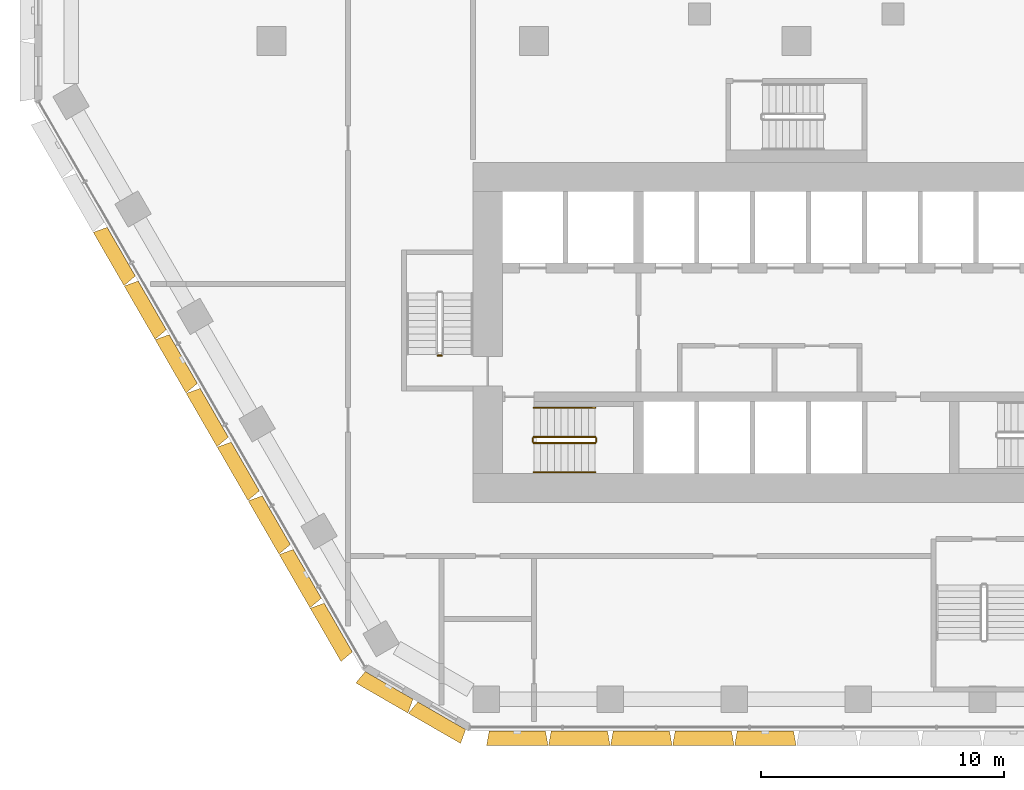
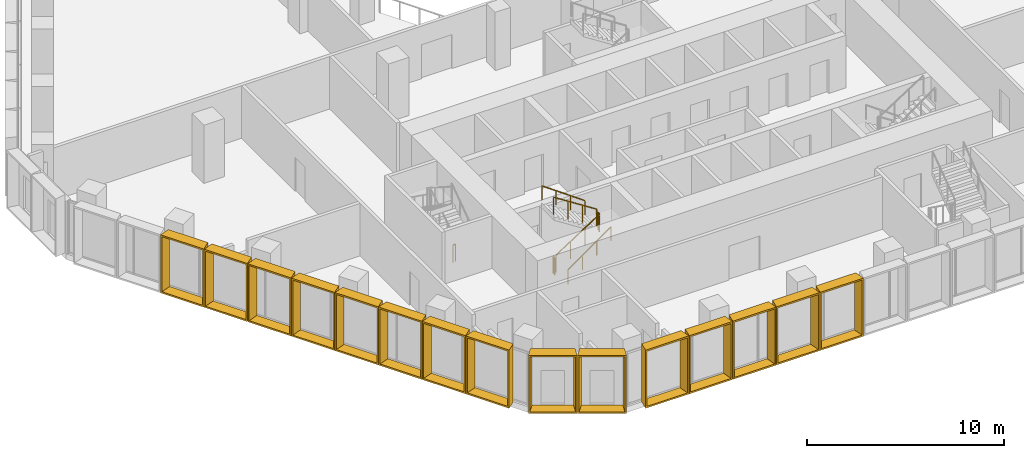
# One storey, part 22 of 25: 15 shading devices, 7 railings.
"""IFC4 building model written with IfcOpenShell, lengths in metres."""

from ifc_helpers import new_model, entity, si_unit, direction, frame, origin, origin_2d, place, context, subcontext, project, spatial, rectangle, extrude, source, transform, mapped, material, type_object, type_shapes, element, save


model = new_model("IFC4")

# Units and contexts
model_context = context("Model", 3, precision=1e-05, world=origin(), true_north=direction((0.0, 1.0)))
body_context = subcontext(model_context, "Body", "Model", "MODEL_VIEW")
ifc_project = project(units=[si_unit("LENGTHUNIT", "METRE"), si_unit("AREAUNIT", "SQUARE_METRE"), si_unit("VOLUMEUNIT", "CUBIC_METRE"), si_unit("PLANEANGLEUNIT", "RADIAN"), si_unit("MASSUNIT", "GRAM", prefix="KILO")], contexts=[model_context])

# Site, building, storey
site_placement = place(None, origin())
site = spatial("IfcSite", under=ifc_project, at=site_placement, CompositionType="ELEMENT")
building_placement = place(site_placement, origin())
building = spatial("IfcBuilding", under=site, at=building_placement, Name="Beryl Residences", CompositionType="ELEMENT")
storey_placement = place(building_placement, frame((0.0, 0.0, 16.199951171875)))
storey = spatial("IfcBuildingStorey", under=building, at=storey_placement, Name="L04", CompositionType="ELEMENT", Elevation=16.199951171875)

# Shading devices
ifc_material_1 = material(Name="Aluminium pale anodised", Category="aluminium")
shading_device_type_1 = type_object("IfcShadingDeviceType", Name="FR250-60A-H36 OUTER SKIN frame 600 mm deep, splay 10/10 deg, 2500 x 3600 mm cell", PredefinedType="USERDEFINED", material=ifc_material_1)
cartesian_point_1 = entity("IfcCartesianPoint", [-1.134033203125, 0.0])
cartesian_point_2 = entity("IfcCartesianPoint", [-1.052734375, 0.10009765625])
cartesian_point_3 = entity("IfcCartesianPoint", [-1.23974609375, 0.0])
cartesian_point_4 = entity("IfcCartesianPoint", [-1.158447265625, 0.10009765625])
shared_shape_1 = source(origin(), body_context, "Body", "SweptSolid", [
    entity("IfcExtrudedAreaSolidTapered", entity("IfcArbitraryProfileDefWithVoids", "AREA", None, entity("IfcPolyline", [cartesian_point_1, entity("IfcCartesianPoint", [1.134033203125, 0.0]), entity("IfcCartesianPoint", [1.134033203125, 3.60009765625]), entity("IfcCartesianPoint", [-1.134033203125, 3.60009765625]), cartesian_point_1]), [entity("IfcPolyline", [cartesian_point_2, entity("IfcCartesianPoint", [1.052734375, 0.10009765625]), entity("IfcCartesianPoint", [1.052734375, 3.5]), entity("IfcCartesianPoint", [-1.052734375, 3.5]), cartesian_point_2])]), entity("IfcAxis2Placement3D", entity("IfcCartesianPoint", [0.0, 0.0, 0.0]), entity("IfcDirection", [0.0, 1.0, 0.0]), entity("IfcDirection", [-1.0, 0.0, 0.0])), entity("IfcDirection", [0.0, 0.0, 1.0]), 0.60009765625, entity("IfcArbitraryProfileDefWithVoids", "AREA", None, entity("IfcPolyline", [cartesian_point_3, entity("IfcCartesianPoint", [1.23974609375, 0.0]), entity("IfcCartesianPoint", [1.23974609375, 3.60009765625]), entity("IfcCartesianPoint", [-1.23974609375, 3.60009765625]), cartesian_point_3]), [entity("IfcPolyline", [cartesian_point_4, entity("IfcCartesianPoint", [1.158447265625, 0.10009765625]), entity("IfcCartesianPoint", [1.158447265625, 3.5]), entity("IfcCartesianPoint", [-1.158447265625, 3.5]), cartesian_point_4])])),
])
type_shapes(shading_device_type_1, [shared_shape_1])
for number, where, z_axis, x_axis, name in (
    (1, (-16.758056640625, -26.52490234375, 0.0), (0.0, 0.0, 1.0), (-0.866025403784, 0.5, 0.0), "FR250-60A-H36 frame L04 SW-S 1"),
    (2, (-14.593017578125, -27.77490234375, 0.0), (0.0, 0.0, 1.0), (-0.866025403784, 0.5, 0.0), "FR250-60A-H36 frame L04 SW-S 2"),
):
    element("IfcShadingDevice", number, at=place(storey_placement, frame(where, z_axis=z_axis, x_axis=x_axis)), inside=storey, type_object=shading_device_type_1, Name=name, ObjectType="OUTER SKIN", PredefinedType="USERDEFINED", context=body_context, shape_type="MappedRepresentation", body=[
        mapped(shared_shape_1, transform((0.0, 0.0, 0.0))),
    ])
ifc_material_2 = material(Name="Aluminium pale anodised", Category="aluminium")
shading_device_type_2 = type_object("IfcShadingDeviceType", Name="FR255-60A-H36 OUTER SKIN frame 600 mm deep, splay 10/10 deg, 2550 x 3600 mm cell", PredefinedType="USERDEFINED", material=ifc_material_2)
cartesian_point_5 = entity("IfcCartesianPoint", [-1.158935546875, 0.0])
cartesian_point_6 = entity("IfcCartesianPoint", [-1.077880859375, 0.10009765625])
cartesian_point_7 = entity("IfcCartesianPoint", [-1.264892578125, 0.0])
cartesian_point_8 = entity("IfcCartesianPoint", [-1.18359375, 0.10009765625])
shared_shape_2 = source(origin(), body_context, "Body", "SweptSolid", [
    entity("IfcExtrudedAreaSolidTapered", entity("IfcArbitraryProfileDefWithVoids", "AREA", None, entity("IfcPolyline", [cartesian_point_5, entity("IfcCartesianPoint", [1.158935546875, 0.0]), entity("IfcCartesianPoint", [1.158935546875, 3.60009765625]), entity("IfcCartesianPoint", [-1.158935546875, 3.60009765625]), cartesian_point_5]), [entity("IfcPolyline", [cartesian_point_6, entity("IfcCartesianPoint", [1.077880859375, 0.10009765625]), entity("IfcCartesianPoint", [1.077880859375, 3.5]), entity("IfcCartesianPoint", [-1.077880859375, 3.5]), cartesian_point_6])]), entity("IfcAxis2Placement3D", entity("IfcCartesianPoint", [0.0, 0.0, 0.0]), entity("IfcDirection", [0.0, 1.0, 0.0]), entity("IfcDirection", [-1.0, 0.0, 0.0])), entity("IfcDirection", [0.0, 0.0, 1.0]), 0.60009765625, entity("IfcArbitraryProfileDefWithVoids", "AREA", None, entity("IfcPolyline", [cartesian_point_7, entity("IfcCartesianPoint", [1.264892578125, 0.0]), entity("IfcCartesianPoint", [1.264892578125, 3.60009765625]), entity("IfcCartesianPoint", [-1.264892578125, 3.60009765625]), cartesian_point_7]), [entity("IfcPolyline", [cartesian_point_8, entity("IfcCartesianPoint", [1.18359375, 0.10009765625]), entity("IfcCartesianPoint", [1.18359375, 3.5]), entity("IfcCartesianPoint", [-1.18359375, 3.5]), cartesian_point_8])])),
])
type_shapes(shading_device_type_2, [shared_shape_2])
for number, where, z_axis, x_axis, name in (
    (3, (-27.783935546875, -8.676025390625, 0.0), (0.0, 0.0, 1.0), (-0.5, 0.866025403784, 0.0), "FR255-60A-H36 frame L04 SW 3"),
    (4, (-26.508056640625, -10.885986328125, 0.0), (0.0, 0.0, 1.0), (-0.5, 0.866025403784, 0.0), "FR255-60A-H36 frame L04 SW 4"),
    (5, (-25.23193359375, -13.095947265625, 0.0), (0.0, 0.0, 1.0), (-0.5, 0.866025403784, 0.0), "FR255-60A-H36 frame L04 SW 5"),
    (6, (-23.95703125, -15.305908203125, 0.0), (0.0, 0.0, 1.0), (-0.5, 0.866025403784, 0.0), "FR255-60A-H36 frame L04 SW 6"),
    (7, (-22.680908203125, -17.51611328125, 0.0), (0.0, 0.0, 1.0), (-0.5, 0.866025403784, 0.0), "FR255-60A-H36 frame L04 SW 7"),
    (8, (-21.405029296875, -19.72607421875, 0.0), (0.0, 0.0, 1.0), (-0.5, 0.866025403784, 0.0), "FR255-60A-H36 frame L04 SW 8"),
    (9, (-20.12890625, -21.93603515625, 0.0), (0.0, 0.0, 1.0), (-0.5, 0.866025403784, 0.0), "FR255-60A-H36 frame L04 SW 9"),
    (10, (-18.85302734375, -24.14599609375, 0.0), (0.0, 0.0, 1.0), (-0.5, 0.866025403784, 0.0), "FR255-60A-H36 frame L04 SW 10"),
    (11, (-11.48291015625, -28.39990234375, 0.0), (0.0, 0.0, 1.0), (-1.0, 0.0, 0.0), "FR255-60A-H36 frame L04 S 1"),
    (12, (-8.930908203125, -28.39990234375, 0.0), (0.0, 0.0, 1.0), (-1.0, 0.0, 0.0), "FR255-60A-H36 frame L04 S 2"),
    (13, (-6.37890625, -28.39990234375, 0.0), (0.0, 0.0, 1.0), (-1.0, 0.0, 0.0), "FR255-60A-H36 frame L04 S 3"),
    (14, (-3.826904296875, -28.39990234375, 0.0), (0.0, 0.0, 1.0), (-1.0, 0.0, 0.0), "FR255-60A-H36 frame L04 S 4"),
    (15, (-1.27490234375, -28.39990234375, 0.0), (0.0, 0.0, 1.0), (-1.0, 0.0, 0.0), "FR255-60A-H36 frame L04 S 5"),
):
    element("IfcShadingDevice", number, at=place(storey_placement, frame(where, z_axis=z_axis, x_axis=x_axis)), inside=storey, type_object=shading_device_type_2, Name=name, ObjectType="OUTER SKIN", PredefinedType="USERDEFINED", context=body_context, shape_type="MappedRepresentation", body=[
        mapped(shared_shape_2, transform((0.0, 0.0, 0.0))),
    ])

# Railings
ifc_material_3 = material(Name="Stainless steel balustrade with glass infill", Category="steel")
railing_type_1 = type_object("IfcRailingType", Name="SG1 stair guard 1100 mm", PredefinedType="GUARDRAIL", material=ifc_material_3)
railing_1_placement = place(storey_placement, frame((-10.800048828125, -16.550048828125, 0.179931640625)))
element("IfcRailing", 16, at=railing_1_placement, inside=storey, type_object=railing_type_1, Name="L04 ST-1 stair guard 1", PredefinedType="GUARDRAIL", context=body_context, shape_type="SweptSolid", body=[
    extrude(rectangle(XDim=0.048095703125, YDim=0.048095703125, at=origin_2d()), frame((0.0, 0.0, 1.076171875), z_axis=(0.841162588446, 0.0, 0.540782303519), x_axis=(0.0, 1.0, 0.0)), (0.0, 0.0, 1.0), 2.995849609375),
    extrude(rectangle(XDim=0.0419921875, YDim=0.0419921875, at=origin_2d()), origin(), (0.0, 0.0, 1.0), 1.052001953125),
    extrude(rectangle(XDim=0.0419921875, YDim=0.0419921875, at=origin_2d()), frame((0.840087890625, 0.0, 0.5400390625)), (0.0, 0.0, 1.0), 1.052001953125),
    extrude(rectangle(XDim=0.0419921875, YDim=0.0419921875, at=origin_2d()), frame((1.679931640625, 0.0, 1.080078125)), (0.0, 0.0, 1.0), 1.052001953125),
    extrude(rectangle(XDim=0.0419921875, YDim=0.0419921875, at=origin_2d()), frame((2.52001953125, 0.0, 1.6201171875)), (0.0, 0.0, 1.0), 1.052001953125),
])
railing_2_placement = place(storey_placement, frame((-8.22998046875, -16.5, 1.800048828125)))
element("IfcRailing", 17, at=railing_2_placement, inside=storey, type_object=railing_type_1, Name="L04 ST-1 stair guard 2", PredefinedType="GUARDRAIL", context=body_context, shape_type="SweptSolid", body=[
    extrude(rectangle(XDim=0.048095703125, YDim=0.048095703125, at=origin_2d()), frame((0.0, 0.0, 1.076171875), z_axis=(0.0, 1.0, 0.0), x_axis=(-1.0, 0.0, 0.0)), (0.0, 0.0, 1.0), 0.14990234375),
    extrude(rectangle(XDim=0.0419921875, YDim=0.0419921875, at=origin_2d()), origin(), (0.0, 0.0, 1.0), 1.052001953125),
    extrude(rectangle(XDim=0.0419921875, YDim=0.0419921875, at=origin_2d()), frame((0.0, 0.14990234375, 0.0)), (0.0, 0.0, 1.0), 1.052001953125),
])
railing_3_placement = place(storey_placement, frame((-8.280029296875, -16.300048828125, 1.97998046875)))
element("IfcRailing", 18, at=railing_3_placement, inside=storey, type_object=railing_type_1, Name="L04 ST-1 stair guard 3", PredefinedType="GUARDRAIL", context=body_context, shape_type="SweptSolid", body=[
    extrude(rectangle(XDim=0.048095703125, YDim=0.048095703125, at=origin_2d()), frame((0.0, 0.0, 1.076171875), z_axis=(-0.841162588446, 0.0, 0.540782303519), x_axis=(0.0, -1.0, 0.0)), (0.0, 0.0, 1.0), 2.995849609375),
    extrude(rectangle(XDim=0.0419921875, YDim=0.0419921875, at=origin_2d()), origin(), (0.0, 0.0, 1.0), 1.052001953125),
    extrude(rectangle(XDim=0.0419921875, YDim=0.0419921875, at=origin_2d()), frame((-0.840087890625, 0.0, 0.5400390625)), (0.0, 0.0, 1.0), 1.052001953125),
    extrude(rectangle(XDim=0.0419921875, YDim=0.0419921875, at=origin_2d()), frame((-1.679931640625, 0.0, 1.080078125)), (0.0, 0.0, 1.0), 1.052001953125),
    extrude(rectangle(XDim=0.0419921875, YDim=0.0419921875, at=origin_2d()), frame((-2.52001953125, 0.0, 1.6201171875)), (0.0, 0.0, 1.0), 1.052001953125),
])
railing_4_placement = place(storey_placement, frame((-10.85009765625, -16.5, 0.0)))
element("IfcRailing", 19, at=railing_4_placement, inside=storey, type_object=railing_type_1, Name="L04 ST-1 stair guard 4", PredefinedType="GUARDRAIL", context=body_context, shape_type="SweptSolid", body=[
    extrude(rectangle(XDim=0.048095703125, YDim=0.048095703125, at=origin_2d()), frame((0.0, 0.0, 1.076171875), z_axis=(0.0, 1.0, 0.0), x_axis=(-1.0, 0.0, 0.0)), (0.0, 0.0, 1.0), 0.14990234375),
    extrude(rectangle(XDim=0.0419921875, YDim=0.0419921875, at=origin_2d()), origin(), (0.0, 0.0, 1.0), 1.052001953125),
    extrude(rectangle(XDim=0.0419921875, YDim=0.0419921875, at=origin_2d()), frame((0.0, 0.14990234375, 0.0)), (0.0, 0.0, 1.0), 1.052001953125),
])
railing_5_placement = place(storey_placement, frame((-14.60009765625, -12.949951171875, 0.0)))
element("IfcRailing", 20, at=railing_5_placement, inside=storey, type_object=railing_type_1, Name="L04 ST-2 stair guard 4", PredefinedType="GUARDRAIL", context=body_context, shape_type="SweptSolid", body=[
    extrude(rectangle(XDim=0.048095703125, YDim=0.048095703125, at=origin_2d()), frame((0.0, 0.0, 1.076171875), z_axis=(-1.0, 0.0, 0.0), x_axis=(0.0, -1.0, 0.0)), (0.0, 0.0, 1.0), 0.14990234375),
    extrude(rectangle(XDim=0.0419921875, YDim=0.0419921875, at=origin_2d()), origin(), (0.0, 0.0, 1.0), 1.052001953125),
    extrude(rectangle(XDim=0.0419921875, YDim=0.0419921875, at=origin_2d()), frame((-0.14990234375, 0.0, 0.0)), (0.0, 0.0, 1.0), 1.052001953125),
])
ifc_material_4 = material(Name="Stainless steel handrail", Category="steel")
railing_type_2 = type_object("IfcRailingType", Name="SRL1 stair handrail 900 mm", PredefinedType="HANDRAIL", material=ifc_material_4)
railing_6_placement = place(storey_placement, frame((-10.800048828125, -17.75, 0.179931640625)))
element("IfcRailing", 21, at=railing_6_placement, inside=storey, type_object=railing_type_2, Name="L04 ST-1 stair handrail 1", PredefinedType="HANDRAIL", context=body_context, shape_type="SweptSolid", body=[
    extrude(rectangle(XDim=0.048095703125, YDim=0.048095703125, at=origin_2d()), frame((0.0, 0.0, 0.8759765625), z_axis=(0.813728144527, 0.0, 0.581245650998), x_axis=(0.0, 1.0, 0.0)), (0.0, 0.0, 1.0), 3.096923828125),
    extrude(rectangle(XDim=0.0419921875, YDim=0.0419921875, at=origin_2d()), origin(), (0.0, 0.0, 1.0), 0.851806640625),
    extrude(rectangle(XDim=0.0419921875, YDim=0.0419921875, at=origin_2d()), frame((0.840087890625, 0.0, 0.60009765625)), (0.0, 0.0, 1.0), 0.851806640625),
    extrude(rectangle(XDim=0.0419921875, YDim=0.0419921875, at=origin_2d()), frame((1.679931640625, 0.0, 1.199951171875)), (0.0, 0.0, 1.0), 0.851806640625),
    extrude(rectangle(XDim=0.0419921875, YDim=0.0419921875, at=origin_2d()), frame((2.52001953125, 0.0, 1.800048828125)), (0.0, 0.0, 1.0), 0.851806640625),
])
railing_7_placement = place(storey_placement, frame((-8.280029296875, -15.10009765625, 1.97998046875)))
element("IfcRailing", 22, at=railing_7_placement, inside=storey, type_object=railing_type_2, Name="L04 ST-1 stair handrail 2", PredefinedType="HANDRAIL", context=body_context, shape_type="SweptSolid", body=[
    extrude(rectangle(XDim=0.048095703125, YDim=0.048095703125, at=origin_2d()), frame((0.0, 0.0, 0.8759765625), z_axis=(-0.813728144527, 0.0, 0.581245650998), x_axis=(0.0, -1.0, 0.0)), (0.0, 0.0, 1.0), 3.096923828125),
    extrude(rectangle(XDim=0.0419921875, YDim=0.0419921875, at=origin_2d()), origin(), (0.0, 0.0, 1.0), 0.851806640625),
    extrude(rectangle(XDim=0.0419921875, YDim=0.0419921875, at=origin_2d()), frame((-0.840087890625, 0.0, 0.60009765625)), (0.0, 0.0, 1.0), 0.851806640625),
    extrude(rectangle(XDim=0.0419921875, YDim=0.0419921875, at=origin_2d()), frame((-1.679931640625, 0.0, 1.199951171875)), (0.0, 0.0, 1.0), 0.851806640625),
    extrude(rectangle(XDim=0.0419921875, YDim=0.0419921875, at=origin_2d()), frame((-2.52001953125, 0.0, 1.800048828125)), (0.0, 0.0, 1.0), 0.851806640625),
])

save(model, "model.ifc")
